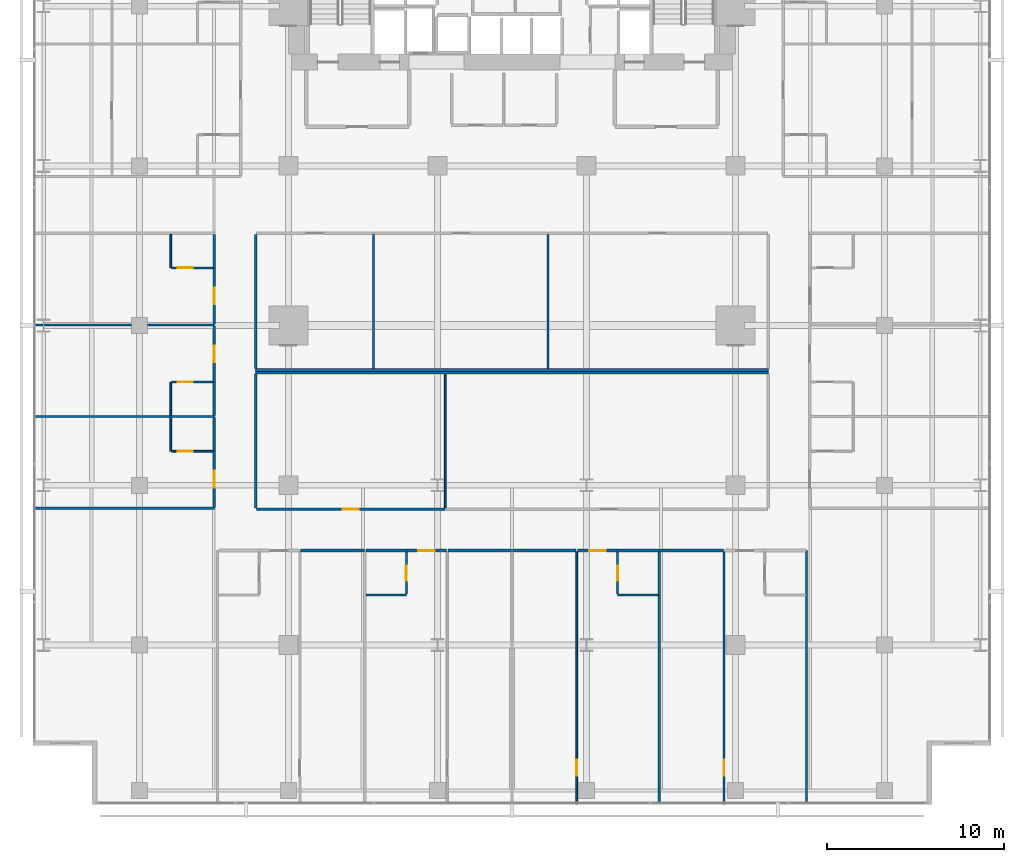
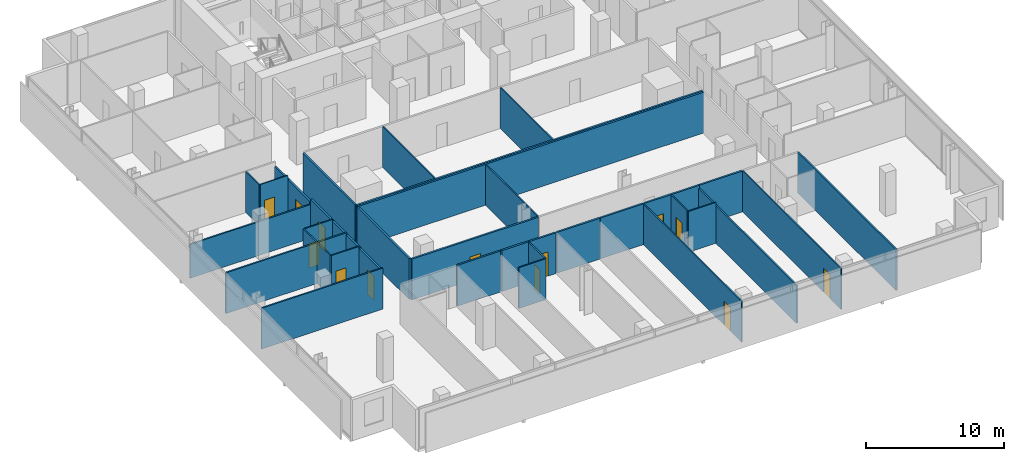
# One storey, part 33 of 40: 39 walls, 13 doors, 13 openings.
"""IFC4 building model written with IfcOpenShell, lengths in metres."""

from ifc_helpers import new_model, si_unit, direction, frame, frame_2d, origin, place, context, subcontext, project, spatial, rectangle, extrude, material, layer, layer_set, type_object, element, fill, save


model = new_model("IFC4")

# Units and contexts
model_context = context("Model", 3, precision=1e-05, world=origin(), true_north=direction((0.0, 1.0)))
body_context = subcontext(model_context, "Body", "Model", "MODEL_VIEW")
ifc_project = project(units=[si_unit("LENGTHUNIT", "METRE"), si_unit("AREAUNIT", "SQUARE_METRE"), si_unit("VOLUMEUNIT", "CUBIC_METRE"), si_unit("PLANEANGLEUNIT", "RADIAN"), si_unit("MASSUNIT", "GRAM", prefix="KILO")], contexts=[model_context])

# Site, building, storey
site_placement = place(None, origin())
site = spatial("IfcSite", under=ifc_project, at=site_placement, CompositionType="ELEMENT")
building_placement = place(site_placement, origin())
building = spatial("IfcBuilding", under=site, at=building_placement, Name="Maruvema Waterfront Hotel and Observation Tower", CompositionType="ELEMENT")
storey_placement = place(building_placement, frame((0.0, 0.0, 50.050048828125)))
storey = spatial("IfcBuildingStorey", under=building, at=storey_placement, Name="L11", CompositionType="ELEMENT", Elevation=50.050048828125)

# Walls
ifc_material_1 = material(Name="Twin-stud acoustic gypsum drywall", Category="gypsum")
ifc_layer_1 = layer(ifc_material_1, 0.14990234375, Name="Acoustic Corridor and Suite Demising Wall 150 mm")
ifc_layer_set_1 = layer_set([ifc_layer_1], Name="Twin-stud acoustic gypsum drywall")
wall_type_1 = type_object("IfcWallType", Name="Acoustic Corridor and Suite Demising Wall 150 mm", PredefinedType="PARTITIONING", material=ifc_layer_set_1)
wall_1_placement = place(storey_placement, frame((23.35009765625, 24.5, 0.0), z_axis=(0.0, 0.0, 1.0), x_axis=(1.0, 0.0, 0.0)))
element("IfcWall", 1, at=wall_1_placement, inside=storey, type_object=wall_type_1, Name="L11 L11-INTN Back Wall 022", PredefinedType="PARTITIONING", context=body_context, shape_type="SweptSolid", body=[
    extrude(rectangle(XDim=28.89990234375, YDim=0.14990234375, at=frame_2d((14.449951171875, 0.0))), origin(), (0.0, 0.0, 1.0), 3.60986328125),
])
wall_2_placement = place(storey_placement, frame((23.35009765625, 24.580078125, 0.0), z_axis=(0.0, 0.0, 1.0), x_axis=(0.0, 1.0, 0.0)))
element("IfcWall", 2, at=wall_2_placement, inside=storey, type_object=wall_type_1, Name="L11 L11-INTN West Wall 023", PredefinedType="PARTITIONING", context=body_context, shape_type="SweptSolid", body=[
    extrude(rectangle(XDim=7.5400390625, YDim=0.14990234375, at=frame_2d((3.77001953125, 0.0))), origin(), (0.0, 0.0, 1.0), 3.60986328125),
])
wall_3_placement = place(storey_placement, frame((23.35009765625, 24.340087890625, 0.0), z_axis=(0.0, 0.0, 1.0), x_axis=(1.0, 0.0, 0.0)))
element("IfcWall", 3, at=wall_3_placement, inside=storey, type_object=wall_type_1, Name="L11 L11-INTS Back Wall 030", PredefinedType="PARTITIONING", context=body_context, shape_type="SweptSolid", body=[
    extrude(rectangle(XDim=28.89990234375, YDim=0.14990234375, at=frame_2d((14.449951171875, 0.0))), origin(), (0.0, 0.0, 1.0), 3.60986328125),
])
wall_4_placement = place(storey_placement, frame((23.35009765625, 16.72998046875, 0.0), z_axis=(0.0, 0.0, 1.0), x_axis=(0.0, 1.0, 0.0)))
element("IfcWall", 4, at=wall_4_placement, inside=storey, type_object=wall_type_1, Name="L11 L11-INTS West Wall 031", PredefinedType="PARTITIONING", context=body_context, shape_type="SweptSolid", body=[
    extrude(rectangle(XDim=7.530029296875, YDim=0.14990234375, at=frame_2d((3.76513671875, 0.0))), origin(), (0.0, 0.0, 1.0), 3.60986328125),
])

# Wall, opening, door
wall_5_placement = place(storey_placement, frame((23.409912109375, 16.64990234375, 0.0), z_axis=(0.0, 0.0, 1.0), x_axis=(1.0, 0.0, 0.0)))
wall_5 = element("IfcWall", 5, at=wall_5_placement, inside=storey, type_object=wall_type_1, Name="L11 L11-INTS Front 1 033", PredefinedType="PARTITIONING", context=body_context, shape_type="SweptSolid", body=[
    extrude(rectangle(XDim=10.60302734375, YDim=0.14990234375, at=frame_2d((5.301513671875, 0.0))), origin(), (0.0, 0.0, 1.0), 3.60986328125),
])
opening_1_placement = place(wall_5_placement, frame((4.8515625, 0.0, 0.0)))
opening_1 = element("IfcOpeningElement", 6, at=opening_1_placement, cuts=wall_5, Name="Opening DR-090", PredefinedType="OPENING", context=body_context, shape_type="SweptSolid", body=[
    extrude(rectangle(XDim=0.89990234375, YDim=2.10009765625, at=frame_2d((0.449951171875, 1.050048828125))), frame((0.0, 0.0849609375, 0.0), z_axis=(0.0, -1.0, 0.0), x_axis=(1.0, 0.0, 0.0)), (0.0, 0.0, 1.0), 0.169921875),
])
ifc_material_2 = material(Name="Solid-core lacquered timber leaf", Category="wood")
door_type_1 = type_object("IfcDoorType", Name="Accessible Toilet and Room Door 900x2100 mm", OperationType="NOTDEFINED", PredefinedType="DOOR", material=ifc_material_2)
door_1_placement = place(opening_1_placement, frame((0.89990234375, 0.0, 0.0), z_axis=(0.0, 0.0, 1.0), x_axis=(-1.0, 0.0, 0.0)))
door_1 = element("IfcDoor", 7, at=door_1_placement, inside=storey, type_object=door_type_1, Name="L11 Wellness Reading Lounge Door", OperationType="SINGLE_SWING_LEFT", OverallHeight=2.10009765625, OverallWidth=0.89990234375, PredefinedType="DOOR", context=body_context, shape_type="SweptSolid", body=[
    extrude(rectangle(XDim=0.89990234375, YDim=2.10009765625, at=frame_2d((0.449951171875, 1.050048828125))), frame((0.0, 0.02490234375, 0.0), z_axis=(0.0, -1.0, 0.0), x_axis=(1.0, 0.0, 0.0)), (0.0, 0.0, 1.0), 0.050048828125),
])
fill(opening_1, door_1)

# Walls
wall_6_placement = place(storey_placement, frame((25.887939453125, 14.320068359375, 0.0), z_axis=(0.0, 0.0, 1.0), x_axis=(1.0, 0.0, 0.0)))
element("IfcWall", 8, at=wall_6_placement, inside=storey, type_object=wall_type_1, Name="L11 Bedroom L11-S1 Back Wall 042", PredefinedType="PARTITIONING", context=body_context, shape_type="SweptSolid", body=[
    extrude(rectangle(XDim=3.592041015625, YDim=0.14990234375, at=frame_2d((1.7958984375, 0.0))), origin(), (0.0, 0.0, 1.0), 3.60986328125),
])
wall_7_placement = place(storey_placement, frame((29.580078125, 14.320068359375, 0.0), z_axis=(0.0, 0.0, 1.0), x_axis=(1.0, 0.0, 0.0)))
element("IfcWall", 9, at=wall_7_placement, inside=storey, type_object=wall_type_1, Name="L11 Bath L11-S2 Back Wall 045", PredefinedType="PARTITIONING", context=body_context, shape_type="SweptSolid", body=[
    extrude(rectangle(XDim=2.27001953125, YDim=0.14990234375, at=frame_2d((1.135009765625, 0.0))), origin(), (0.0, 0.0, 1.0), 3.60986328125),
])

# Wall, opening, door
wall_8_placement = place(storey_placement, frame((31.85009765625, 14.320068359375, 0.0), z_axis=(0.0, 0.0, 1.0), x_axis=(1.0, 0.0, 0.0)))
wall_8 = element("IfcWall", 10, at=wall_8_placement, inside=storey, type_object=wall_type_1, Name="L11 Unit L11-S2 Corridor Wall 048", PredefinedType="PARTITIONING", context=body_context, shape_type="SweptSolid", body=[
    extrude(rectangle(XDim=2.2578125, YDim=0.14990234375, at=frame_2d((1.12890625, 0.0))), origin(), (0.0, 0.0, 1.0), 3.60986328125),
])
opening_2_placement = place(wall_8_placement, frame((0.654052734375, 0.0, 0.0)))
opening_2 = element("IfcOpeningElement", 11, at=opening_2_placement, cuts=wall_8, Name="Opening DR-095", PredefinedType="OPENING", context=body_context, shape_type="SweptSolid", body=[
    extrude(rectangle(XDim=0.949951171875, YDim=2.14990234375, at=frame_2d((0.47509765625, 1.074951171875))), frame((0.0, 0.0849609375, 0.0), z_axis=(0.0, -1.0, 0.0), x_axis=(1.0, 0.0, 0.0)), (0.0, 0.0, 1.0), 0.169921875),
])
ifc_material_3 = material(Name="Acoustic solid-core hardwood timber leaf", Category="wood")
door_type_2 = type_object("IfcDoorType", Name="Guestroom Entrance Fire Door 950x2150 mm", OperationType="NOTDEFINED", PredefinedType="DOOR", material=ifc_material_3)
door_2_placement = place(opening_2_placement, frame((0.949951171875, 0.0, 0.0), z_axis=(0.0, 0.0, 1.0), x_axis=(-1.0, 0.0, 0.0)))
door_2 = element("IfcDoor", 12, at=door_2_placement, inside=storey, type_object=door_type_2, Name="L11 Unit L11-S2 Entrance Door", OperationType="SINGLE_SWING_LEFT", OverallHeight=2.14990234375, OverallWidth=0.949951171875, PredefinedType="DOOR", context=body_context, shape_type="SweptSolid", body=[
    extrude(rectangle(XDim=0.949951171875, YDim=2.14990234375, at=frame_2d((0.47509765625, 1.074951171875))), frame((0.0, 0.02490234375, 0.0), z_axis=(0.0, -1.0, 0.0), x_axis=(1.0, 0.0, 0.0)), (0.0, 0.0, 1.0), 0.050048828125),
])
fill(opening_2, door_2)

# Walls
wall_9_placement = place(storey_placement, frame((34.18798828125, 14.320068359375, 0.0), z_axis=(0.0, 0.0, 1.0), x_axis=(1.0, 0.0, 0.0)))
element("IfcWall", 13, at=wall_9_placement, inside=storey, type_object=wall_type_1, Name="L11 Bedroom L11-S2 Back Wall 049", PredefinedType="PARTITIONING", context=body_context, shape_type="SweptSolid", body=[
    extrude(rectangle(XDim=3.592041015625, YDim=0.14990234375, at=frame_2d((1.7958984375, 0.0))), origin(), (0.0, 0.0, 1.0), 3.60986328125),
])
wall_10_placement = place(storey_placement, frame((43.75, 14.320068359375, 0.0), z_axis=(0.0, 0.0, 1.0), x_axis=(1.0, 0.0, 0.0)))
element("IfcWall", 14, at=wall_10_placement, inside=storey, type_object=wall_type_1, Name="L11 Bath L11-S3 Back Wall 052", PredefinedType="PARTITIONING", context=body_context, shape_type="SweptSolid", body=[
    extrude(rectangle(XDim=2.330078125, YDim=0.14990234375, at=frame_2d((1.1650390625, 0.0))), origin(), (0.0, 0.0, 1.0), 3.60986328125),
])
wall_11_placement = place(storey_placement, frame((37.820068359375, 14.320068359375, 0.0), z_axis=(0.0, 0.0, 1.0), x_axis=(1.0, 0.0, 0.0)))
element("IfcWall", 15, at=wall_11_placement, inside=storey, type_object=wall_type_1, Name="L11 Bedroom L11-S3 Back Wall 055", PredefinedType="PARTITIONING", context=body_context, shape_type="SweptSolid", body=[
    extrude(rectangle(XDim=3.592041015625, YDim=0.14990234375, at=frame_2d((1.7958984375, 0.0))), origin(), (0.0, 0.0, 1.0), 3.60986328125),
])

# Wall, opening, door
wall_12_placement = place(storey_placement, frame((41.491943359375, 14.320068359375, 0.0), z_axis=(0.0, 0.0, 1.0), x_axis=(1.0, 0.0, 0.0)))
wall_12 = element("IfcWall", 16, at=wall_12_placement, inside=storey, type_object=wall_type_1, Name="L11 Unit L11-S3 Corridor Wall 056", PredefinedType="PARTITIONING", context=body_context, shape_type="SweptSolid", body=[
    extrude(rectangle(XDim=2.258056640625, YDim=0.14990234375, at=frame_2d((1.12890625, 0.0))), origin(), (0.0, 0.0, 1.0), 3.60986328125),
])
opening_3_placement = place(wall_12_placement, frame((0.654052734375, 0.0, 0.0)))
opening_3 = element("IfcOpeningElement", 17, at=opening_3_placement, cuts=wall_12, Name="Opening DR-095", PredefinedType="OPENING", context=body_context, shape_type="SweptSolid", body=[
    extrude(rectangle(XDim=0.949951171875, YDim=2.14990234375, at=frame_2d((0.47509765625, 1.074951171875))), frame((0.0, 0.0849609375, 0.0), z_axis=(0.0, -1.0, 0.0), x_axis=(1.0, 0.0, 0.0)), (0.0, 0.0, 1.0), 0.169921875),
])
door_3_placement = place(opening_3_placement, frame((0.949951171875, 0.0, 0.0), z_axis=(0.0, 0.0, 1.0), x_axis=(-1.0, 0.0, 0.0)))
door_3 = element("IfcDoor", 18, at=door_3_placement, inside=storey, type_object=door_type_2, Name="L11 Unit L11-S3 Entrance Door", OperationType="SINGLE_SWING_RIGHT", OverallHeight=2.14990234375, OverallWidth=0.949951171875, PredefinedType="DOOR", context=body_context, shape_type="SweptSolid", body=[
    extrude(rectangle(XDim=0.949951171875, YDim=2.14990234375, at=frame_2d((0.47509765625, 1.074951171875))), frame((0.0, 0.02490234375, 0.0), z_axis=(0.0, -1.0, 0.0), x_axis=(1.0, 0.0, 0.0)), (0.0, 0.0, 1.0), 0.050048828125),
])
fill(opening_3, door_3)

# Wall
wall_13_placement = place(storey_placement, frame((46.1201171875, 14.320068359375, 0.0), z_axis=(0.0, 0.0, 1.0), x_axis=(1.0, 0.0, 0.0)))
element("IfcWall", 19, at=wall_13_placement, inside=storey, type_object=wall_type_1, Name="L11 Bedroom L11-S4 Back Wall 062", PredefinedType="PARTITIONING", context=body_context, shape_type="SweptSolid", body=[
    extrude(rectangle(XDim=3.591796875, YDim=0.14990234375, at=frame_2d((1.7958984375, 0.0))), origin(), (0.0, 0.0, 1.0), 3.60986328125),
])

# Wall, opening, door
wall_14_placement = place(storey_placement, frame((21.02001953125, 16.760009765625, 0.0), z_axis=(0.0, 0.0, 1.0), x_axis=(0.0, 1.0, 0.0)))
wall_14 = element("IfcWall", 20, at=wall_14_placement, inside=storey, type_object=wall_type_1, Name="L11 Room L11-W1 Corridor Wall 069", PredefinedType="PARTITIONING", context=body_context, shape_type="SweptSolid", body=[
    extrude(rectangle(XDim=3.159912109375, YDim=0.14990234375, at=frame_2d((1.580078125, 0.0))), origin(), (0.0, 0.0, 1.0), 3.40283203125),
])
opening_4_placement = place(wall_14_placement, frame((1.10498046875, 0.0, 0.0)))
opening_4 = element("IfcOpeningElement", 21, at=opening_4_placement, cuts=wall_14, Name="Opening DR-095", PredefinedType="OPENING", context=body_context, shape_type="SweptSolid", body=[
    extrude(rectangle(XDim=0.949951171875, YDim=2.14990234375, at=frame_2d((0.47509765625, 1.074951171875))), frame((0.0, 0.0849609375, 0.0), z_axis=(0.0, -1.0, 0.0), x_axis=(1.0, 0.0, 0.0)), (0.0, 0.0, 1.0), 0.169921875),
])
door_4_placement = place(opening_4_placement, origin())
door_4 = element("IfcDoor", 22, at=door_4_placement, inside=storey, type_object=door_type_2, Name="L11 Room L11-W1 Entrance Door", OperationType="SINGLE_SWING_RIGHT", OverallHeight=2.14990234375, OverallWidth=0.949951171875, PredefinedType="DOOR", context=body_context, shape_type="SweptSolid", body=[
    extrude(rectangle(XDim=0.949951171875, YDim=2.14990234375, at=frame_2d((0.47509765625, 1.074951171875))), frame((0.0, 0.02490234375, 0.0), z_axis=(0.0, -1.0, 0.0), x_axis=(1.0, 0.0, 0.0)), (0.0, 0.0, 1.0), 0.050048828125),
])
fill(opening_4, door_4)

# Walls
for number, where, z_axis, x_axis, name in (
    (23, (21.02001953125, 19.919921875, 0.0), (0.0, 0.0, 1.0), (0.0, 1.0, 0.0), "L11 Bath L11-W1 Wall 070"),
    (24, (21.02001953125, 21.929931640625, 0.0), (0.0, 0.0, 1.0), (0.0, 1.0, 0.0), "L11 Bath L11-W2 Wall 079"),
):
    element("IfcWall", number, at=place(storey_placement, frame(where, z_axis=z_axis, x_axis=x_axis)), inside=storey, type_object=wall_type_1, Name=name, PredefinedType="PARTITIONING", context=body_context, shape_type="SweptSolid", body=[
        extrude(rectangle(XDim=1.89013671875, YDim=0.14990234375, at=frame_2d((0.945068359375, 0.0))), origin(), (0.0, 0.0, 1.0), 3.45703125),
    ])

# Wall, opening, door
wall_15_placement = place(storey_placement, frame((21.02001953125, 23.820068359375, 0.0), z_axis=(0.0, 0.0, 1.0), x_axis=(0.0, 1.0, 0.0)))
wall_15 = element("IfcWall", 25, at=wall_15_placement, inside=storey, type_object=wall_type_1, Name="L11 Room L11-W2 Corridor Wall 080", PredefinedType="PARTITIONING", context=body_context, shape_type="SweptSolid", body=[
    extrude(rectangle(XDim=3.14990234375, YDim=0.14990234375, at=frame_2d((1.574951171875, 0.0))), origin(), (0.0, 0.0, 1.0), 3.45703125),
])
opening_5_placement = place(wall_15_placement, frame((1.10009765625, 0.0, 0.0)))
opening_5 = element("IfcOpeningElement", 26, at=opening_5_placement, cuts=wall_15, Name="Opening DR-095", PredefinedType="OPENING", context=body_context, shape_type="SweptSolid", body=[
    extrude(rectangle(XDim=0.949951171875, YDim=2.14990234375, at=frame_2d((0.47509765625, 1.074951171875))), frame((0.0, 0.0849609375, 0.0), z_axis=(0.0, -1.0, 0.0), x_axis=(1.0, 0.0, 0.0)), (0.0, 0.0, 1.0), 0.169921875),
])
door_5_placement = place(opening_5_placement, origin())
door_5 = element("IfcDoor", 27, at=door_5_placement, inside=storey, type_object=door_type_2, Name="L11 Room L11-W2 Entrance Door", OperationType="SINGLE_SWING_RIGHT", OverallHeight=2.14990234375, OverallWidth=0.949951171875, PredefinedType="DOOR", context=body_context, shape_type="SweptSolid", body=[
    extrude(rectangle(XDim=0.949951171875, YDim=2.14990234375, at=frame_2d((0.47509765625, 1.074951171875))), frame((0.0, 0.02490234375, 0.0), z_axis=(0.0, -1.0, 0.0), x_axis=(1.0, 0.0, 0.0)), (0.0, 0.0, 1.0), 0.050048828125),
])
fill(opening_5, door_5)

wall_16_placement = place(storey_placement, frame((21.02001953125, 27.090087890625, 0.0), z_axis=(0.0, 0.0, 1.0), x_axis=(0.0, 1.0, 0.0)))
wall_16 = element("IfcWall", 28, at=wall_16_placement, inside=storey, type_object=wall_type_1, Name="L11 Room L11-W3 Corridor Wall 089", PredefinedType="PARTITIONING", context=body_context, shape_type="SweptSolid", body=[
    extrude(rectangle(XDim=3.159912109375, YDim=0.14990234375, at=frame_2d((1.580078125, 0.0))), origin(), (0.0, 0.0, 1.0), 3.20703125),
])
opening_6_placement = place(wall_16_placement, frame((1.10498046875, 0.0, 0.0)))
opening_6 = element("IfcOpeningElement", 29, at=opening_6_placement, cuts=wall_16, Name="Opening DR-095", PredefinedType="OPENING", context=body_context, shape_type="SweptSolid", body=[
    extrude(rectangle(XDim=0.949951171875, YDim=2.14990234375, at=frame_2d((0.47509765625, 1.074951171875))), frame((0.0, 0.0849609375, 0.0), z_axis=(0.0, -1.0, 0.0), x_axis=(1.0, 0.0, 0.0)), (0.0, 0.0, 1.0), 0.169921875),
])
door_6_placement = place(opening_6_placement, origin())
door_6 = element("IfcDoor", 30, at=door_6_placement, inside=storey, type_object=door_type_2, Name="L11 Room L11-W3 Entrance Door", OperationType="SINGLE_SWING_RIGHT", OverallHeight=2.14990234375, OverallWidth=0.949951171875, PredefinedType="DOOR", context=body_context, shape_type="SweptSolid", body=[
    extrude(rectangle(XDim=0.949951171875, YDim=2.14990234375, at=frame_2d((0.47509765625, 1.074951171875))), frame((0.0, 0.02490234375, 0.0), z_axis=(0.0, -1.0, 0.0), x_axis=(1.0, 0.0, 0.0)), (0.0, 0.0, 1.0), 0.050048828125),
])
fill(opening_6, door_6)

# Walls
wall_17_placement = place(storey_placement, frame((21.02001953125, 30.25, 0.0), z_axis=(0.0, 0.0, 1.0), x_axis=(0.0, 1.0, 0.0)))
element("IfcWall", 31, at=wall_17_placement, inside=storey, type_object=wall_type_1, Name="L11 Bath L11-W3 Wall 090", PredefinedType="PARTITIONING", context=body_context, shape_type="SweptSolid", body=[
    extrude(rectangle(XDim=1.889892578125, YDim=0.14990234375, at=frame_2d((0.94482421875, 0.0))), origin(), (0.0, 0.0, 1.0), 3.20703125),
])
ifc_material_4 = material(Name="Moisture-resistant cement-board drywall", Category="gypsum")
ifc_layer_2 = layer(ifc_material_4, 0.10009765625, Name="En-Suite Moisture-Resistant Partition 100 mm")
ifc_layer_set_2 = layer_set([ifc_layer_2], Name="Moisture-resistant cement-board drywall")
wall_type_2 = type_object("IfcWallType", Name="En-Suite Moisture-Resistant Partition 100 mm", PredefinedType="PARTITIONING", material=ifc_layer_set_2)
for number, where, z_axis, x_axis, name in (
    (32, (29.9970703125, 24.580078125, 0.0), (0.0, 0.0, 1.0), (0.0, 1.0, 0.0), "L11 L11-INTN Split 1 026"),
    (33, (39.822998046875, 24.580078125, 0.0), (0.0, 0.0, 1.0), (0.0, 1.0, 0.0), "L11 L11-INTN Split 2 028"),
):
    element("IfcWall", number, at=place(storey_placement, frame(where, z_axis=z_axis, x_axis=x_axis)), inside=storey, type_object=wall_type_2, Name=name, PredefinedType="PARTITIONING", context=body_context, shape_type="SweptSolid", body=[
        extrude(rectangle(XDim=7.5400390625, YDim=0.10009765625, at=frame_2d((3.77001953125, 0.0))), origin(), (0.0, 0.0, 1.0), 3.60986328125),
    ])
wall_18_placement = place(storey_placement, frame((34.04296875, 16.72998046875, 0.0), z_axis=(0.0, 0.0, 1.0), x_axis=(0.0, 1.0, 0.0)))
element("IfcWall", 34, at=wall_18_placement, inside=storey, type_object=wall_type_2, Name="L11 L11-INTS Split 1 034", PredefinedType="PARTITIONING", context=body_context, shape_type="SweptSolid", body=[
    extrude(rectangle(XDim=7.530029296875, YDim=0.10009765625, at=frame_2d((3.76513671875, 0.0))), origin(), (0.0, 0.0, 1.0), 3.60986328125),
])
wall_19_placement = place(storey_placement, frame((29.580078125, 11.820068359375, 0.0), z_axis=(0.0, 0.0, 1.0), x_axis=(1.0, 0.0, 0.0)))
element("IfcWall", 35, at=wall_19_placement, inside=storey, type_object=wall_type_2, Name="L11 En-Suite L11-S2 South 046", PredefinedType="PARTITIONING", context=body_context, shape_type="SweptSolid", body=[
    extrude(rectangle(XDim=2.27001953125, YDim=0.10009765625, at=frame_2d((1.135009765625, 0.0))), origin(), (0.0, 0.0, 1.0), 3.60986328125),
])

# Wall, opening, door
wall_20_placement = place(storey_placement, frame((31.85009765625, 11.8798828125, 0.0), z_axis=(0.0, 0.0, 1.0), x_axis=(0.0, 1.0, 0.0)))
wall_20 = element("IfcWall", 36, at=wall_20_placement, inside=storey, type_object=wall_type_2, Name="L11 En-Suite L11-S2 East 047", PredefinedType="PARTITIONING", context=body_context, shape_type="SweptSolid", body=[
    extrude(rectangle(XDim=2.340087890625, YDim=0.10009765625, at=frame_2d((1.169921875, 0.0))), origin(), (0.0, 0.0, 1.0), 3.60986328125),
])
opening_7_placement = place(wall_20_placement, frame((0.7451171875, 0.0, 0.0)))
opening_7 = element("IfcOpeningElement", 37, at=opening_7_placement, cuts=wall_20, Name="Opening DR-085", PredefinedType="OPENING", context=body_context, shape_type="SweptSolid", body=[
    extrude(rectangle(XDim=0.85009765625, YDim=2.10009765625, at=frame_2d((0.425048828125, 1.050048828125))), frame((0.0, 0.06005859375, 0.0), z_axis=(0.0, -1.0, 0.0), x_axis=(1.0, 0.0, 0.0)), (0.0, 0.0, 1.0), 0.1201171875),
])
ifc_material_5 = material(Name="Moisture-resistant solid timber leaf", Category="wood")
door_type_3 = type_object("IfcDoorType", Name="En-Suite Bathroom Door 850x2100 mm", OperationType="NOTDEFINED", PredefinedType="DOOR", material=ifc_material_5)
door_7_placement = place(opening_7_placement, frame((0.85009765625, 0.0, 0.0), z_axis=(0.0, 0.0, 1.0), x_axis=(-1.0, 0.0, 0.0)))
door_7 = element("IfcDoor", 38, at=door_7_placement, inside=storey, type_object=door_type_3, Name="L11 En-Suite L11-S2 Door", OperationType="SINGLE_SWING_RIGHT", OverallHeight=2.10009765625, OverallWidth=0.85009765625, PredefinedType="DOOR", context=body_context, shape_type="SweptSolid", body=[
    extrude(rectangle(XDim=0.85009765625, YDim=2.10009765625, at=frame_2d((0.425048828125, 1.050048828125))), frame((0.0, 0.02490234375, 0.0), z_axis=(0.0, -1.0, 0.0), x_axis=(1.0, 0.0, 0.0)), (0.0, 0.0, 1.0), 0.050048828125),
])
fill(opening_7, door_7)

# Wall
wall_21_placement = place(storey_placement, frame((43.75, 11.820068359375, 0.0), z_axis=(0.0, 0.0, 1.0), x_axis=(1.0, 0.0, 0.0)))
element("IfcWall", 39, at=wall_21_placement, inside=storey, type_object=wall_type_2, Name="L11 En-Suite L11-S3 South 053", PredefinedType="PARTITIONING", context=body_context, shape_type="SweptSolid", body=[
    extrude(rectangle(XDim=2.31005859375, YDim=0.10009765625, at=frame_2d((1.155029296875, 0.0))), origin(), (0.0, 0.0, 1.0), 3.60986328125),
])

# Wall, opening, door
wall_22_placement = place(storey_placement, frame((43.75, 11.8798828125, 0.0), z_axis=(0.0, 0.0, 1.0), x_axis=(0.0, 1.0, 0.0)))
wall_22 = element("IfcWall", 40, at=wall_22_placement, inside=storey, type_object=wall_type_2, Name="L11 En-Suite L11-S3 West 054", PredefinedType="PARTITIONING", context=body_context, shape_type="SweptSolid", body=[
    extrude(rectangle(XDim=2.340087890625, YDim=0.10009765625, at=frame_2d((1.169921875, 0.0))), origin(), (0.0, 0.0, 1.0), 3.60986328125),
])
opening_8_placement = place(wall_22_placement, frame((0.7451171875, 0.0, 0.0)))
opening_8 = element("IfcOpeningElement", 41, at=opening_8_placement, cuts=wall_22, Name="Opening DR-085", PredefinedType="OPENING", context=body_context, shape_type="SweptSolid", body=[
    extrude(rectangle(XDim=0.85009765625, YDim=2.10009765625, at=frame_2d((0.425048828125, 1.050048828125))), frame((0.0, 0.06005859375, 0.0), z_axis=(0.0, -1.0, 0.0), x_axis=(1.0, 0.0, 0.0)), (0.0, 0.0, 1.0), 0.1201171875),
])
door_8_placement = place(opening_8_placement, origin())
door_8 = element("IfcDoor", 42, at=door_8_placement, inside=storey, type_object=door_type_3, Name="L11 En-Suite L11-S3 Door", OperationType="SINGLE_SWING_LEFT", OverallHeight=2.10009765625, OverallWidth=0.85009765625, PredefinedType="DOOR", context=body_context, shape_type="SweptSolid", body=[
    extrude(rectangle(XDim=0.85009765625, YDim=2.10009765625, at=frame_2d((0.425048828125, 1.050048828125))), frame((0.0, 0.02490234375, 0.0), z_axis=(0.0, -1.0, 0.0), x_axis=(1.0, 0.0, 0.0)), (0.0, 0.0, 1.0), 0.050048828125),
])
fill(opening_8, door_8)

wall_23_placement = place(storey_placement, frame((41.451904296875, 0.030029296875, 0.0), z_axis=(0.0, 0.0, 1.0), x_axis=(0.0, 1.0, 0.0)))
wall_23 = element("IfcWall", 43, at=wall_23_placement, inside=storey, type_object=wall_type_2, Name="L11 Suite L11-S3 Split 057", PredefinedType="PARTITIONING", context=body_context, shape_type="SweptSolid", body=[
    extrude(rectangle(XDim=14.22998046875, YDim=0.10009765625, at=frame_2d((7.114990234375, 0.0))), origin(), (0.0, 0.0, 1.0), 3.60986328125),
])
opening_9_placement = place(wall_23_placement, frame((1.60009765625, 0.0, 0.0)))
opening_9 = element("IfcOpeningElement", 44, at=opening_9_placement, cuts=wall_23, Name="Opening DR-090", PredefinedType="OPENING", context=body_context, shape_type="SweptSolid", body=[
    extrude(rectangle(XDim=0.89990234375, YDim=2.10009765625, at=frame_2d((0.449951171875, 1.050048828125))), frame((0.0, 0.06005859375, 0.0), z_axis=(0.0, -1.0, 0.0), x_axis=(1.0, 0.0, 0.0)), (0.0, 0.0, 1.0), 0.1201171875),
])
door_9_placement = place(opening_9_placement, frame((0.89990234375, 0.0, 0.0), z_axis=(0.0, 0.0, 1.0), x_axis=(-1.0, 0.0, 0.0)))
door_9 = element("IfcDoor", 45, at=door_9_placement, inside=storey, type_object=door_type_1, Name="L11 Suite L11-S3 Bedroom Door", OperationType="SINGLE_SWING_LEFT", OverallHeight=2.10009765625, OverallWidth=0.89990234375, PredefinedType="DOOR", context=body_context, shape_type="SweptSolid", body=[
    extrude(rectangle(XDim=0.89990234375, YDim=2.10009765625, at=frame_2d((0.449951171875, 1.050048828125))), frame((0.0, 0.02490234375, 0.0), z_axis=(0.0, -1.0, 0.0), x_axis=(1.0, 0.0, 0.0)), (0.0, 0.0, 1.0), 0.050048828125),
])
fill(opening_9, door_9)

wall_24_placement = place(storey_placement, frame((49.751953125, 0.030029296875, 0.0), z_axis=(0.0, 0.0, 1.0), x_axis=(0.0, 1.0, 0.0)))
wall_24 = element("IfcWall", 46, at=wall_24_placement, inside=storey, type_object=wall_type_2, Name="L11 Suite L11-S4 Split 064", PredefinedType="PARTITIONING", context=body_context, shape_type="SweptSolid", body=[
    extrude(rectangle(XDim=14.22998046875, YDim=0.10009765625, at=frame_2d((7.114990234375, 0.0))), origin(), (0.0, 0.0, 1.0), 3.60986328125),
])
opening_10_placement = place(wall_24_placement, frame((1.60009765625, 0.0, 0.0)))
opening_10 = element("IfcOpeningElement", 47, at=opening_10_placement, cuts=wall_24, Name="Opening DR-090", PredefinedType="OPENING", context=body_context, shape_type="SweptSolid", body=[
    extrude(rectangle(XDim=0.89990234375, YDim=2.10009765625, at=frame_2d((0.449951171875, 1.050048828125))), frame((0.0, 0.06005859375, 0.0), z_axis=(0.0, -1.0, 0.0), x_axis=(1.0, 0.0, 0.0)), (0.0, 0.0, 1.0), 0.1201171875),
])
door_10_placement = place(opening_10_placement, frame((0.89990234375, 0.0, 0.0), z_axis=(0.0, 0.0, 1.0), x_axis=(-1.0, 0.0, 0.0)))
door_10 = element("IfcDoor", 48, at=door_10_placement, inside=storey, type_object=door_type_1, Name="L11 Suite L11-S4 Bedroom Door", OperationType="SINGLE_SWING_RIGHT", OverallHeight=2.10009765625, OverallWidth=0.89990234375, PredefinedType="DOOR", context=body_context, shape_type="SweptSolid", body=[
    extrude(rectangle(XDim=0.89990234375, YDim=2.10009765625, at=frame_2d((0.449951171875, 1.050048828125))), frame((0.0, 0.02490234375, 0.0), z_axis=(0.0, -1.0, 0.0), x_axis=(1.0, 0.0, 0.0)), (0.0, 0.0, 1.0), 0.050048828125),
])
fill(opening_10, door_10)

# Wall
wall_25_placement = place(storey_placement, frame((18.570068359375, 19.919921875, 0.0), z_axis=(0.0, 0.0, 1.0), x_axis=(0.0, 1.0, 0.0)))
element("IfcWall", 49, at=wall_25_placement, inside=storey, type_object=wall_type_2, Name="L11 En-Suite L11-W1 W 071", PredefinedType="PARTITIONING", context=body_context, shape_type="SweptSolid", body=[
    extrude(rectangle(XDim=1.89013671875, YDim=0.10009765625, at=frame_2d((0.945068359375, 0.0))), origin(), (0.0, 0.0, 1.0), 3.60986328125),
])

# Wall, opening, door
wall_26_placement = place(storey_placement, frame((18.6201171875, 19.919921875, 0.0), z_axis=(0.0, 0.0, 1.0), x_axis=(1.0, 0.0, 0.0)))
wall_26 = element("IfcWall", 50, at=wall_26_placement, inside=storey, type_object=wall_type_2, Name="L11 En-Suite L11-W1 S 072", PredefinedType="PARTITIONING", context=body_context, shape_type="SweptSolid", body=[
    extrude(rectangle(XDim=2.2998046875, YDim=0.10009765625, at=frame_2d((1.14990234375, 0.0))), origin(), (0.0, 0.0, 1.0), 3.60986328125),
])
opening_11_placement = place(wall_26_placement, frame((0.35009765625, 0.0, 0.0)))
opening_11 = element("IfcOpeningElement", 51, at=opening_11_placement, cuts=wall_26, Name="Opening DR-085", PredefinedType="OPENING", context=body_context, shape_type="SweptSolid", body=[
    extrude(rectangle(XDim=0.85009765625, YDim=2.10009765625, at=frame_2d((0.425048828125, 1.050048828125))), frame((0.0, 0.06005859375, 0.0), z_axis=(0.0, -1.0, 0.0), x_axis=(1.0, 0.0, 0.0)), (0.0, 0.0, 1.0), 0.1201171875),
])
door_11_placement = place(opening_11_placement, frame((0.85009765625, 0.0, 0.0), z_axis=(0.0, 0.0, 1.0), x_axis=(-1.0, 0.0, 0.0)))
door_11 = element("IfcDoor", 52, at=door_11_placement, inside=storey, type_object=door_type_3, Name="L11 En-Suite L11-W1 Door", OperationType="SINGLE_SWING_LEFT", OverallHeight=2.10009765625, OverallWidth=0.85009765625, PredefinedType="DOOR", context=body_context, shape_type="SweptSolid", body=[
    extrude(rectangle(XDim=0.85009765625, YDim=2.10009765625, at=frame_2d((0.425048828125, 1.050048828125))), frame((0.0, 0.02490234375, 0.0), z_axis=(0.0, -1.0, 0.0), x_axis=(1.0, 0.0, 0.0)), (0.0, 0.0, 1.0), 0.050048828125),
])
fill(opening_11, door_11)

# Wall
wall_27_placement = place(storey_placement, frame((18.570068359375, 21.929931640625, 0.0), z_axis=(0.0, 0.0, 1.0), x_axis=(0.0, 1.0, 0.0)))
element("IfcWall", 53, at=wall_27_placement, inside=storey, type_object=wall_type_2, Name="L11 En-Suite L11-W2 W 081", PredefinedType="PARTITIONING", context=body_context, shape_type="SweptSolid", body=[
    extrude(rectangle(XDim=1.89013671875, YDim=0.10009765625, at=frame_2d((0.945068359375, 0.0))), origin(), (0.0, 0.0, 1.0), 3.60986328125),
])

# Wall, opening, door
wall_28_placement = place(storey_placement, frame((18.6201171875, 23.820068359375, 0.0), z_axis=(0.0, 0.0, 1.0), x_axis=(1.0, 0.0, 0.0)))
wall_28 = element("IfcWall", 54, at=wall_28_placement, inside=storey, type_object=wall_type_2, Name="L11 En-Suite L11-W2 N 082", PredefinedType="PARTITIONING", context=body_context, shape_type="SweptSolid", body=[
    extrude(rectangle(XDim=2.2998046875, YDim=0.10009765625, at=frame_2d((1.14990234375, 0.0))), origin(), (0.0, 0.0, 1.0), 3.60986328125),
])
opening_12_placement = place(wall_28_placement, frame((0.35009765625, 0.0, 0.0)))
opening_12 = element("IfcOpeningElement", 55, at=opening_12_placement, cuts=wall_28, Name="Opening DR-085", PredefinedType="OPENING", context=body_context, shape_type="SweptSolid", body=[
    extrude(rectangle(XDim=0.85009765625, YDim=2.10009765625, at=frame_2d((0.425048828125, 1.050048828125))), frame((0.0, 0.06005859375, 0.0), z_axis=(0.0, -1.0, 0.0), x_axis=(1.0, 0.0, 0.0)), (0.0, 0.0, 1.0), 0.1201171875),
])
door_12_placement = place(opening_12_placement, origin())
door_12 = element("IfcDoor", 56, at=door_12_placement, inside=storey, type_object=door_type_3, Name="L11 En-Suite L11-W2 Door", OperationType="SINGLE_SWING_LEFT", OverallHeight=2.10009765625, OverallWidth=0.85009765625, PredefinedType="DOOR", context=body_context, shape_type="SweptSolid", body=[
    extrude(rectangle(XDim=0.85009765625, YDim=2.10009765625, at=frame_2d((0.425048828125, 1.050048828125))), frame((0.0, 0.02490234375, 0.0), z_axis=(0.0, -1.0, 0.0), x_axis=(1.0, 0.0, 0.0)), (0.0, 0.0, 1.0), 0.050048828125),
])
fill(opening_12, door_12)

# Wall
wall_29_placement = place(storey_placement, frame((18.570068359375, 30.25, 0.0), z_axis=(0.0, 0.0, 1.0), x_axis=(0.0, 1.0, 0.0)))
element("IfcWall", 57, at=wall_29_placement, inside=storey, type_object=wall_type_2, Name="L11 En-Suite L11-W3 W 091", PredefinedType="PARTITIONING", context=body_context, shape_type="SweptSolid", body=[
    extrude(rectangle(XDim=1.889892578125, YDim=0.10009765625, at=frame_2d((0.94482421875, 0.0))), origin(), (0.0, 0.0, 1.0), 3.60986328125),
])

# Wall, opening, door
wall_30_placement = place(storey_placement, frame((18.6201171875, 30.25, 0.0), z_axis=(0.0, 0.0, 1.0), x_axis=(1.0, 0.0, 0.0)))
wall_30 = element("IfcWall", 58, at=wall_30_placement, inside=storey, type_object=wall_type_2, Name="L11 En-Suite L11-W3 S 092", PredefinedType="PARTITIONING", context=body_context, shape_type="SweptSolid", body=[
    extrude(rectangle(XDim=2.2998046875, YDim=0.10009765625, at=frame_2d((1.14990234375, 0.0))), origin(), (0.0, 0.0, 1.0), 3.60986328125),
])
opening_13_placement = place(wall_30_placement, frame((0.35009765625, 0.0, 0.0)))
opening_13 = element("IfcOpeningElement", 59, at=opening_13_placement, cuts=wall_30, Name="Opening DR-085", PredefinedType="OPENING", context=body_context, shape_type="SweptSolid", body=[
    extrude(rectangle(XDim=0.85009765625, YDim=2.10009765625, at=frame_2d((0.425048828125, 1.050048828125))), frame((0.0, 0.06005859375, 0.0), z_axis=(0.0, -1.0, 0.0), x_axis=(1.0, 0.0, 0.0)), (0.0, 0.0, 1.0), 0.1201171875),
])
door_13_placement = place(opening_13_placement, frame((0.85009765625, 0.0, 0.0), z_axis=(0.0, 0.0, 1.0), x_axis=(-1.0, 0.0, 0.0)))
door_13 = element("IfcDoor", 60, at=door_13_placement, inside=storey, type_object=door_type_3, Name="L11 En-Suite L11-W3 Door", OperationType="SINGLE_SWING_LEFT", OverallHeight=2.10009765625, OverallWidth=0.85009765625, PredefinedType="DOOR", context=body_context, shape_type="SweptSolid", body=[
    extrude(rectangle(XDim=0.85009765625, YDim=2.10009765625, at=frame_2d((0.425048828125, 1.050048828125))), frame((0.0, 0.02490234375, 0.0), z_axis=(0.0, -1.0, 0.0), x_axis=(1.0, 0.0, 0.0)), (0.0, 0.0, 1.0), 0.050048828125),
])
fill(opening_13, door_13)

# Walls
ifc_material_6 = material(Name="Acoustic gypsum plasterboard drywall", Category="gypsum")
ifc_layer_3 = layer(ifc_material_6, 0.125, Name="Guestroom Acoustic Demising Wall 125 mm")
ifc_layer_set_3 = layer_set([ifc_layer_3], Name="Acoustic gypsum plasterboard drywall")
wall_type_3 = type_object("IfcWallType", Name="Guestroom Acoustic Demising Wall 125 mm", PredefinedType="PARTITIONING", material=ifc_layer_set_3)
wall_31_placement = place(storey_placement, frame((54.39990234375, 0.10009765625, 0.0), z_axis=(0.0, 0.0, 1.0), x_axis=(0.0, 1.0, 0.0)))
element("IfcWall", 61, at=wall_31_placement, inside=storey, type_object=wall_type_3, Name="L11 S East End 037", PredefinedType="PARTITIONING", context=body_context, shape_type="SweptSolid", body=[
    extrude(rectangle(XDim=14.219970703125, YDim=0.125, at=frame_2d((7.10986328125, 0.0))), origin(), (0.0, 0.0, 1.0), 3.60986328125),
])
wall_32_placement = place(storey_placement, frame((46.10009765625, 0.10009765625, 0.0), z_axis=(0.0, 0.0, 1.0), x_axis=(0.0, 1.0, 0.0)))
element("IfcWall", 62, at=wall_32_placement, inside=storey, type_object=wall_type_3, Name="L11 S Demising 4 058", PredefinedType="PARTITIONING", context=body_context, shape_type="SweptSolid", body=[
    extrude(rectangle(XDim=14.219970703125, YDim=0.125, at=frame_2d((7.10986328125, 0.0))), origin(), (0.0, 0.0, 1.0), 3.343994140625),
])
for number, where, z_axis, x_axis, name in (
    (63, (10.89990234375, 16.699951171875, 0.0), (0.0, 0.0, 1.0), (1.0, 0.0, 0.0), "L11 W Bot End 065"),
    (64, (10.89990234375, 21.8701171875, 0.0), (0.0, 0.0, 1.0), (1.0, 0.0, 0.0), "L11 W Demising 2 077"),
):
    element("IfcWall", number, at=place(storey_placement, frame(where, z_axis=z_axis, x_axis=x_axis)), inside=storey, type_object=wall_type_3, Name=name, PredefinedType="PARTITIONING", context=body_context, shape_type="SweptSolid", body=[
        extrude(rectangle(XDim=10.1201171875, YDim=0.125, at=frame_2d((5.06005859375, 0.0))), origin(), (0.0, 0.0, 1.0), 3.60986328125),
    ])
wall_33_placement = place(storey_placement, frame((10.89990234375, 27.030029296875, 0.0), z_axis=(0.0, 0.0, 1.0), x_axis=(1.0, 0.0, 0.0)))
element("IfcWall", 65, at=wall_33_placement, inside=storey, type_object=wall_type_3, Name="L11 W Demising 3 087", PredefinedType="PARTITIONING", context=body_context, shape_type="SweptSolid", body=[
    extrude(rectangle(XDim=10.1201171875, YDim=0.125, at=frame_2d((5.06005859375, 0.0))), origin(), (0.0, 0.0, 1.0), 2.988037109375),
])

save(model, "model.ifc")
